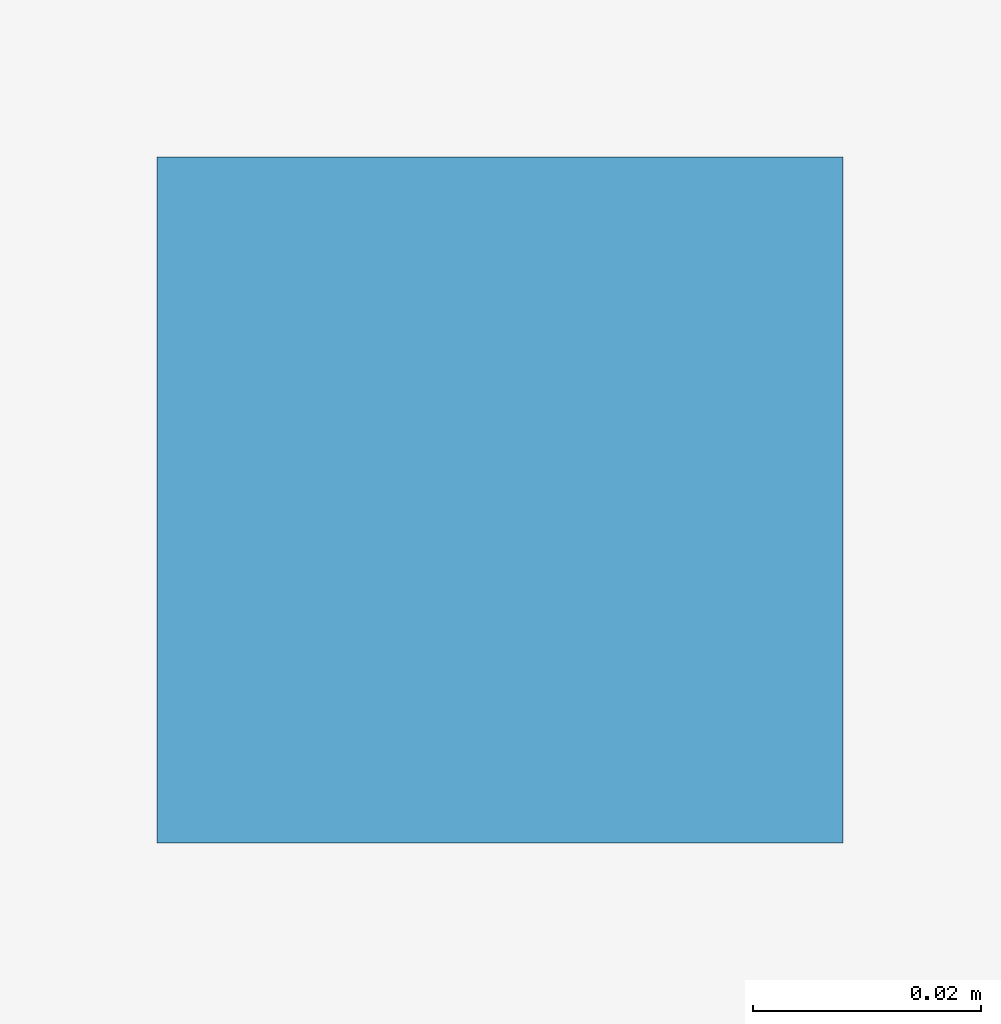
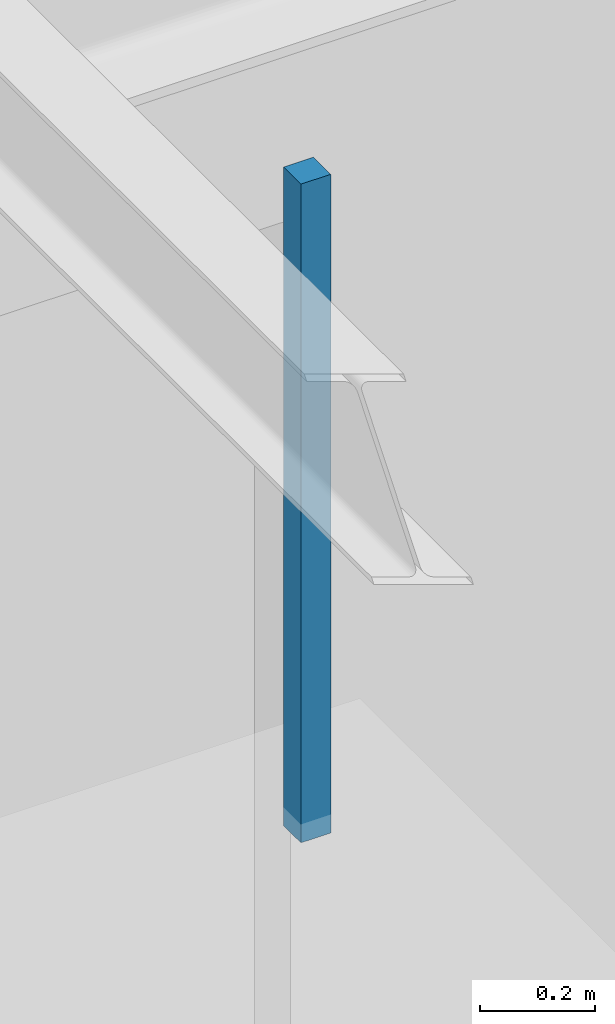
# One storey, part 54 of 67: 1 discrete accessory.
"""IFC4 building model written with IfcOpenShell, lengths in metres."""

from ifc_helpers import new_model, si_unit, direction, frame, origin, origin_2d, place, context, subcontext, project, spatial, rectangle, extrude, material, type_object, element, save


model = new_model("IFC4")

# Units and contexts
model_context = context("Model", 3, precision=1e-05, world=origin(), true_north=direction((0.0, 1.0)))
body_context = subcontext(model_context, "Body", "Model", "MODEL_VIEW")
ifc_project = project(units=[si_unit("LENGTHUNIT", "METRE"), si_unit("AREAUNIT", "SQUARE_METRE"), si_unit("VOLUMEUNIT", "CUBIC_METRE"), si_unit("PLANEANGLEUNIT", "RADIAN"), si_unit("MASSUNIT", "GRAM", prefix="KILO")], contexts=[model_context])

# Site, building, storey
site_placement = place(None, origin())
site = spatial("IfcSite", under=ifc_project, at=site_placement, CompositionType="ELEMENT")
building_placement = place(site_placement, origin())
building = spatial("IfcBuilding", under=site, at=building_placement, Name="Sundkrona Museum", CompositionType="ELEMENT")
storey_placement = place(building_placement, frame((0.0, 0.0, 21.800048828125)))
storey = spatial("IfcBuildingStorey", under=building, at=storey_placement, Name="L04", CompositionType="ELEMENT", Elevation=21.800048828125)

# Discrete accessory
ifc_material = material(Name="Stainless Steel EN 1.4404 Cleat", Category="steel")
discrete_accessory_type = type_object("IfcDiscreteAccessoryType", Name="BRK-FIN-01", PredefinedType="BRACKET", material=ifc_material)
discrete_accessory_placement = place(storey_placement, frame((165.550048828125, 30.949951171875, 2.550048828125), z_axis=(0.0, 0.0, 1.0), x_axis=(1.0, 0.0, 0.0)))
element("IfcDiscreteAccessory", 1, at=discrete_accessory_placement, inside=storey, type_object=discrete_accessory_type, Name="L04 Contemporary Visual Arts Gallery Ceiling Hanger 3", PredefinedType="BRACKET", context=body_context, shape_type="SweptSolid", body=[
    extrude(rectangle(XDim=0.06005859375, YDim=0.06005859375, at=origin_2d()), origin(), (0.0, 0.0, 1.0), 1.39990234375),
])

save(model, "model.ifc")
